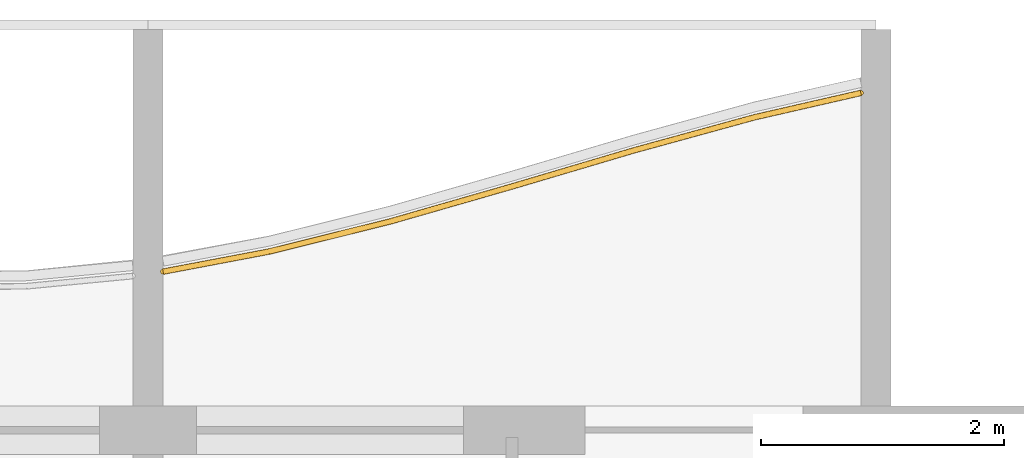
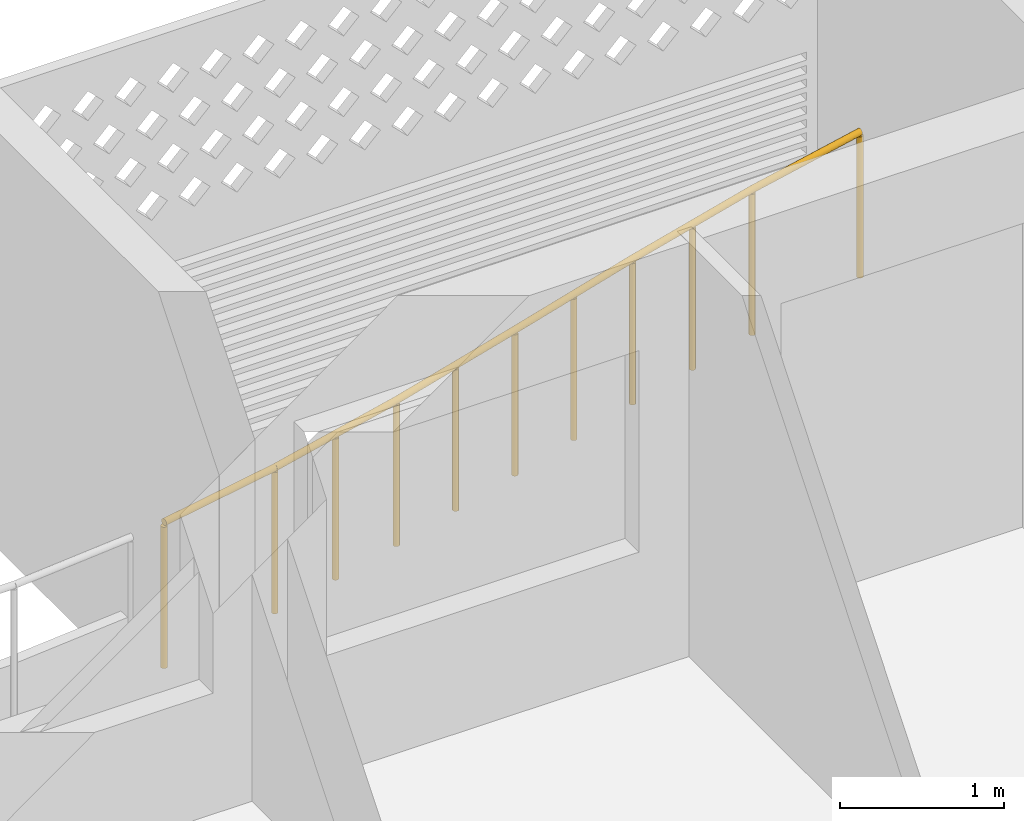
# One storey, part 25 of 26: 1 railing.
"""IFC4 building model written with IfcOpenShell, lengths in metres."""

from ifc_helpers import new_model, si_unit, direction, frame, origin, origin_2d, place, context, subcontext, project, spatial, circle, extrude, material, type_object, element, save


model = new_model("IFC4")

# Units and contexts
model_context = context("Model", 3, precision=1e-05, world=origin(), true_north=direction((0.0, 1.0)))
body_context = subcontext(model_context, "Body", "Model", "MODEL_VIEW")
ifc_project = project(units=[si_unit("LENGTHUNIT", "METRE"), si_unit("AREAUNIT", "SQUARE_METRE"), si_unit("VOLUMEUNIT", "CUBIC_METRE"), si_unit("PLANEANGLEUNIT", "RADIAN"), si_unit("MASSUNIT", "GRAM", prefix="KILO")], contexts=[model_context])

# Site, building, storey
site_placement = place(None, origin())
site = spatial("IfcSite", under=ifc_project, at=site_placement, CompositionType="ELEMENT")
building_placement = place(site_placement, origin())
building = spatial("IfcBuilding", under=site, at=building_placement, Name="Poui Terraces", CompositionType="ELEMENT")
storey_placement = place(building_placement, frame((0.0, 0.0, 175.199951171875)))
storey = spatial("IfcBuildingStorey", under=building, at=storey_placement, Name="L48", CompositionType="ELEMENT", Elevation=175.199951171875)

# Railing
ifc_material = material(Name="Painted steel fretwork", Category="steel")
railing_type = type_object("IfcRailingType", Name="BALCONY GUARD 1100", PredefinedType="GUARDRAIL", material=ifc_material)
railing_placement = place(storey_placement, frame((72.125, 42.506591796875, 0.0)))
element("IfcRailing", 1, at=railing_placement, inside=storey, type_object=railing_type, Name="BALCONY GUARD", PredefinedType="GUARDRAIL", context=body_context, shape_type="SweptSolid", body=[
    extrude(circle(Radius=0.02392578125, at=origin_2d()), frame((0.0, 0.0, 1.076171875), z_axis=(0.98252284804, 0.186142023945, 0.0), x_axis=(-0.186142023945, 0.98252284804, 0.0)), (0.0, 0.0, 1.0), 0.890625),
    extrude(circle(Radius=0.02392578125, at=origin_2d()), frame((0.875, 0.165771484375, 1.076171875), z_axis=(0.970476070643, 0.241197421854, 0.0), x_axis=(-0.241197421854, 0.970476070643, 0.0)), (0.0, 0.0, 1.0), 1.030517578125),
    extrude(circle(Radius=0.02392578125, at=origin_2d()), frame((1.875, 0.414306640625, 1.076171875), z_axis=(0.961106681232, 0.276177383743, 0.0), x_axis=(-0.276177383743, 0.961106681232, 0.0)), (0.0, 0.0, 1.0), 1.04052734375),
    extrude(circle(Radius=0.02392578125, at=origin_2d()), frame((2.875, 0.70166015625, 1.076171875), z_axis=(0.958838249952, 0.283952831346, 0.0), x_axis=(-0.283952831346, 0.958838249952, 0.0)), (0.0, 0.0, 1.0), 1.04296875),
    extrude(circle(Radius=0.02392578125, at=origin_2d()), frame((3.875, 0.997802734375, 1.076171875), z_axis=(0.964349713042, 0.264631122426, 0.0), x_axis=(-0.264631122426, 0.964349713042, 0.0)), (0.0, 0.0, 1.0), 1.036865234375),
    extrude(circle(Radius=0.02392578125, at=origin_2d()), frame((4.875, 1.272216796875, 1.076171875), z_axis=(0.974811218774, 0.223031584653, 0.0), x_axis=(-0.223031584653, 0.974811218774, 0.0)), (0.0, 0.0, 1.0), 0.897705078125),
    extrude(circle(Radius=0.02099609375, at=origin_2d()), origin(), (0.0, 0.0, 1.0), 1.052001953125),
    extrude(circle(Radius=0.02099609375, at=origin_2d()), frame((0.875, 0.165771484375, 0.0)), (0.0, 0.0, 1.0), 1.052001953125),
    extrude(circle(Radius=0.02099609375, at=origin_2d()), frame((1.375, 0.2900390625, 0.0)), (0.0, 0.0, 1.0), 1.052001953125),
    extrude(circle(Radius=0.02099609375, at=origin_2d()), frame((1.875, 0.414306640625, 0.0)), (0.0, 0.0, 1.0), 1.052001953125),
    extrude(circle(Radius=0.02099609375, at=origin_2d()), frame((2.375, 0.55810546875, 0.0)), (0.0, 0.0, 1.0), 1.052001953125),
    extrude(circle(Radius=0.02099609375, at=origin_2d()), frame((2.875, 0.70166015625, 0.0)), (0.0, 0.0, 1.0), 1.052001953125),
    extrude(circle(Radius=0.02099609375, at=origin_2d()), frame((3.375, 0.849609375, 0.0)), (0.0, 0.0, 1.0), 1.052001953125),
    extrude(circle(Radius=0.02099609375, at=origin_2d()), frame((3.875, 0.997802734375, 0.0)), (0.0, 0.0, 1.0), 1.052001953125),
    extrude(circle(Radius=0.02099609375, at=origin_2d()), frame((4.375, 1.135009765625, 0.0)), (0.0, 0.0, 1.0), 1.052001953125),
    extrude(circle(Radius=0.02099609375, at=origin_2d()), frame((4.875, 1.272216796875, 0.0)), (0.0, 0.0, 1.0), 1.052001953125),
    extrude(circle(Radius=0.02099609375, at=origin_2d()), frame((5.75, 1.472412109375, 0.0)), (0.0, 0.0, 1.0), 1.052001953125),
])

save(model, "model.ifc")
